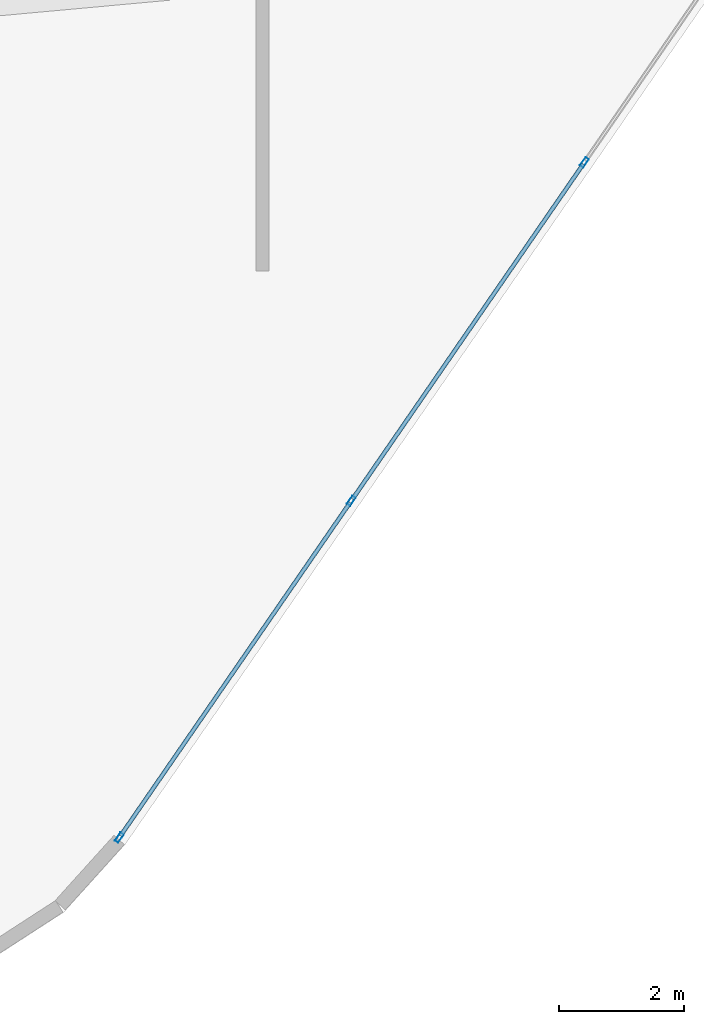
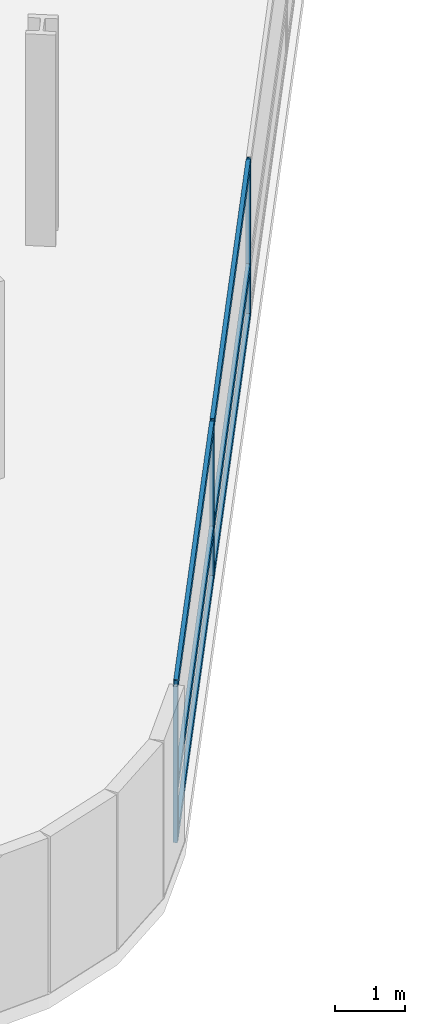
# One storey, part 6 of 25: 9 members, 1 element without a shape of its own.
"""IFC4 building model written with IfcOpenShell, lengths in metres."""

from ifc_helpers import new_model, si_unit, direction, frame, origin, origin_2d, place, context, subcontext, project, spatial, hollow_rectangle, extrude, material, layer, layer_set, material_profile, profile_set, type_object, element, aggregate, save


model = new_model("IFC4")

# Units and contexts
model_context = context("Model", 3, precision=1e-05, world=origin(), true_north=direction((0.0, 1.0)))
body_context = subcontext(model_context, "Body", "Model", "MODEL_VIEW")
ifc_project = project(units=[si_unit("LENGTHUNIT", "METRE"), si_unit("AREAUNIT", "SQUARE_METRE"), si_unit("VOLUMEUNIT", "CUBIC_METRE"), si_unit("PLANEANGLEUNIT", "RADIAN"), si_unit("MASSUNIT", "GRAM", prefix="KILO")], contexts=[model_context])

# Site, building, storey
site_placement = place(None, origin())
site = spatial("IfcSite", under=ifc_project, at=site_placement, CompositionType="ELEMENT")
building_placement = place(site_placement, origin())
building = spatial("IfcBuilding", under=site, at=building_placement, Name="Varnelok Gate Tower", CompositionType="ELEMENT")
storey_placement = place(building_placement, frame((0.0, 0.0, 34.39990234375)))
storey = spatial("IfcBuildingStorey", under=building, at=storey_placement, Name="L07", CompositionType="ELEMENT", Elevation=34.39990234375)

# Curtain wall, members
ifc_material = material(Name="Anodized Aluminum Alloy 6063-T6", Category="aluminium")
ifc_layer = layer(ifc_material, 0.179931640625)
ifc_layer_set = layer_set([ifc_layer], Name="Anodized Aluminum Alloy 6063-T6")
curtain_wall_type = type_object("IfcCurtainWallType", Name="CW3-HOTEL-VISION", PredefinedType="USERDEFINED", material=ifc_layer_set)
curtain_wall_placement = place(storey_placement, origin())
curtain_wall = element("IfcCurtainWall", 1, at=curtain_wall_placement, inside=storey, type_object=curtain_wall_type, Name="L07 East End Vision Curtain Wall", ObjectType="UNITISED CURTAIN WALL", PredefinedType="USERDEFINED")
ifc_material_profile_1 = material_profile(ifc_material, hollow_rectangle(XDim=0.06494140625, YDim=0.159912109375, WallThickness=0.00390625, at=origin_2d()), Name="ALU160X65X4")
ifc_profile_set_1 = profile_set([ifc_material_profile_1], Name="Anodized Aluminum Alloy 6063-T6")
member_type_1 = type_object("IfcMemberType", Name="CW-MULL-160", PredefinedType="MULLION", material=ifc_profile_set_1)
member_1_placement = place(storey_placement, frame((67.64208984375, -2.265380859375, 0.0), z_axis=(0.0, 0.0, 1.0), x_axis=(0.823532685111, -0.567268822124, 0.0)))
member_1 = element("IfcMember", 2, at=member_1_placement, type_object=member_type_1, Name="CW3 mullion 5", PredefinedType="MULLION", context=body_context, shape_type="SweptSolid", body=[
    extrude(hollow_rectangle(XDim=0.06494140625, YDim=0.159912109375, WallThickness=0.00390625, at=origin_2d()), origin(), (0.0, 0.0, 1.0), 2.72998046875),
])
member_2_placement = place(storey_placement, frame((63.9169921875, -7.67333984375, 0.0), z_axis=(0.0, 0.0, 1.0), x_axis=(0.823532685111, -0.567268822124, 0.0)))
member_2 = element("IfcMember", 3, at=member_2_placement, type_object=member_type_1, Name="CW3 mullion 6", PredefinedType="MULLION", context=body_context, shape_type="SweptSolid", body=[
    extrude(hollow_rectangle(XDim=0.06494140625, YDim=0.159912109375, WallThickness=0.00390625, at=origin_2d()), origin(), (0.0, 0.0, 1.0), 2.72998046875),
])
member_3_placement = place(storey_placement, frame((60.21044921875, -13.054443359375, 0.0), z_axis=(0.0, 0.0, 1.0), x_axis=(0.823532685111, -0.567268822124, 0.0)))
member_3 = element("IfcMember", 4, at=member_3_placement, type_object=member_type_1, Name="CW3 mullion 7", PredefinedType="MULLION", context=body_context, shape_type="SweptSolid", body=[
    extrude(hollow_rectangle(XDim=0.06494140625, YDim=0.159912109375, WallThickness=0.00390625, at=origin_2d()), origin(), (0.0, 0.0, 1.0), 2.72998046875),
])
ifc_material_profile_2 = material_profile(ifc_material, hollow_rectangle(XDim=0.06494140625, YDim=0.159912109375, WallThickness=0.00390625, at=origin_2d()), Name="ALU160X65X4")
ifc_profile_set_2 = profile_set([ifc_material_profile_2], Name="Anodized Aluminum Alloy 6063-T6")
member_type_2 = type_object("IfcMemberType", Name="CW-TRAN-160", PredefinedType="USERDEFINED", material=ifc_profile_set_2)
member_4_placement = place(storey_placement, frame((67.623779296875, -2.292236328125, 0.03271484375), z_axis=(-0.567279204469, -0.823525533409, 0.0), x_axis=(0.823525533409, -0.567279204469, 0.0)))
member_4 = element("IfcMember", 5, at=member_4_placement, type_object=member_type_2, Name="CW3 transom 5.1", ObjectType="TRANSOM", PredefinedType="USERDEFINED", context=body_context, shape_type="SweptSolid", body=[
    extrude(hollow_rectangle(XDim=0.06494140625, YDim=0.159912109375, WallThickness=0.00390625, at=origin_2d()), origin(), (0.0, 0.0, 1.0), 6.501708984375),
])
member_5_placement = place(storey_placement, frame((67.623779296875, -2.292236328125, 0.900146484375), z_axis=(-0.567279204469, -0.823525533409, 0.0), x_axis=(0.823525533409, -0.567279204469, 0.0)))
member_5 = element("IfcMember", 6, at=member_5_placement, type_object=member_type_2, Name="CW3 transom 5.2", ObjectType="TRANSOM", PredefinedType="USERDEFINED", context=body_context, shape_type="SweptSolid", body=[
    extrude(hollow_rectangle(XDim=0.06494140625, YDim=0.159912109375, WallThickness=0.00390625, at=origin_2d()), origin(), (0.0, 0.0, 1.0), 6.501708984375),
])
member_6_placement = place(storey_placement, frame((67.623779296875, -2.292236328125, 2.697509765625), z_axis=(-0.567279204469, -0.823525533409, 0.0), x_axis=(0.823525533409, -0.567279204469, 0.0)))
member_6 = element("IfcMember", 7, at=member_6_placement, type_object=member_type_2, Name="CW3 transom 5.3", ObjectType="TRANSOM", PredefinedType="USERDEFINED", context=body_context, shape_type="SweptSolid", body=[
    extrude(hollow_rectangle(XDim=0.06494140625, YDim=0.159912109375, WallThickness=0.00390625, at=origin_2d()), origin(), (0.0, 0.0, 1.0), 6.501708984375),
])
member_7_placement = place(storey_placement, frame((63.898681640625, -7.699951171875, 0.03271484375), z_axis=(-0.567281349446, -0.823524055854, 0.0), x_axis=(0.823524055854, -0.567281349446, 0.0)))
member_7 = element("IfcMember", 8, at=member_7_placement, type_object=member_type_2, Name="CW3 transom 6.1", ObjectType="TRANSOM", PredefinedType="USERDEFINED", context=body_context, shape_type="SweptSolid", body=[
    extrude(hollow_rectangle(XDim=0.06494140625, YDim=0.159912109375, WallThickness=0.00390625, at=origin_2d()), origin(), (0.0, 0.0, 1.0), 6.46923828125),
])
member_8_placement = place(storey_placement, frame((63.898681640625, -7.699951171875, 0.900146484375), z_axis=(-0.567281349446, -0.823524055854, 0.0), x_axis=(0.823524055854, -0.567281349446, 0.0)))
member_8 = element("IfcMember", 9, at=member_8_placement, type_object=member_type_2, Name="CW3 transom 6.2", ObjectType="TRANSOM", PredefinedType="USERDEFINED", context=body_context, shape_type="SweptSolid", body=[
    extrude(hollow_rectangle(XDim=0.06494140625, YDim=0.159912109375, WallThickness=0.00390625, at=origin_2d()), origin(), (0.0, 0.0, 1.0), 6.46923828125),
])
member_9_placement = place(storey_placement, frame((63.898681640625, -7.699951171875, 2.697509765625), z_axis=(-0.567281349446, -0.823524055854, 0.0), x_axis=(0.823524055854, -0.567281349446, 0.0)))
member_9 = element("IfcMember", 10, at=member_9_placement, type_object=member_type_2, Name="CW3 transom 6.3", ObjectType="TRANSOM", PredefinedType="USERDEFINED", context=body_context, shape_type="SweptSolid", body=[
    extrude(hollow_rectangle(XDim=0.06494140625, YDim=0.159912109375, WallThickness=0.00390625, at=origin_2d()), origin(), (0.0, 0.0, 1.0), 6.46923828125),
])
aggregate(curtain_wall, [member_1, member_2, member_3, member_4, member_5, member_6, member_7, member_8, member_9])

save(model, "model.ifc")
